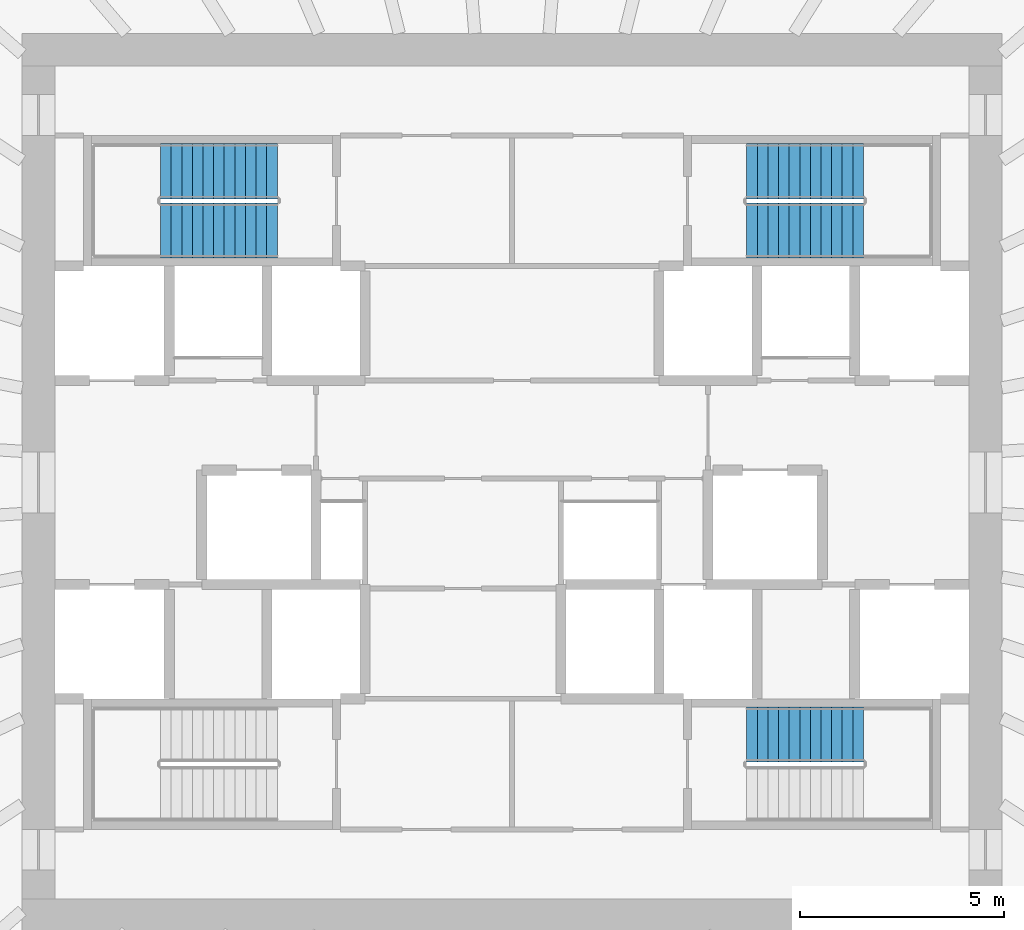
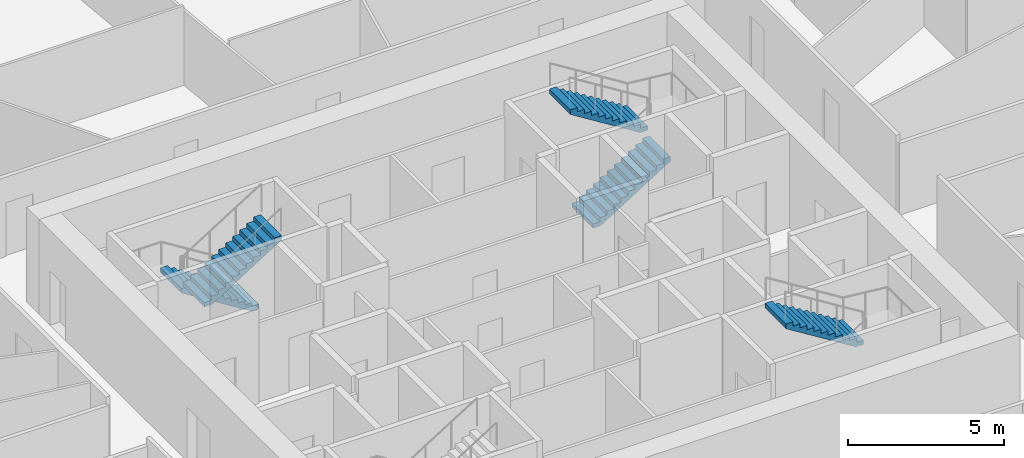
# One storey, part 10 of 11: 5 stair flights, 3 elements without a shape of their own.
"""IFC4 building model written with IfcOpenShell, lengths in metres."""

from ifc_helpers import new_model, si_unit, direction, frame, origin, place, context, subcontext, project, spatial, polyline, outline, extrude, source, transform, mapped, material, type_object, element, aggregate, save


model = new_model("IFC4")

# Units and contexts
model_context = context("Model", 3, precision=1e-05, world=origin(), true_north=direction((0.0, 1.0)))
body_context = subcontext(model_context, "Body", "Model", "MODEL_VIEW")
ifc_project = project(units=[si_unit("LENGTHUNIT", "METRE"), si_unit("AREAUNIT", "SQUARE_METRE"), si_unit("VOLUMEUNIT", "CUBIC_METRE"), si_unit("PLANEANGLEUNIT", "RADIAN"), si_unit("MASSUNIT", "GRAM", prefix="KILO")], contexts=[model_context])

# Site, building, storey
site_placement = place(None, origin())
site = spatial("IfcSite", under=ifc_project, at=site_placement, CompositionType="ELEMENT")
building_placement = place(site_placement, origin())
building = spatial("IfcBuilding", under=site, at=building_placement, Name="Embergate Tower", CompositionType="ELEMENT")
storey_placement = place(building_placement, frame((0.0, 0.0, 199.5)))
storey = spatial("IfcBuildingStorey", under=building, at=storey_placement, Name="L45", CompositionType="ELEMENT", Elevation=199.5)

# Stair, stair flights
ifc_material_1 = material(Name="Exit stair")
stair_type = type_object("IfcStairType", Name="Exit stair", PredefinedType="HALF_TURN_STAIR", material=ifc_material_1)
stair_1_placement = place(storey_placement, origin())
stair_1 = element("IfcStair", 1, at=stair_1_placement, inside=storey, type_object=stair_type, Name="L45 Exit stair 1", PredefinedType="HALF_TURN_STAIR")
ifc_material_2 = material(Name="Concrete C40", Category="concrete")
stair_flight_type = type_object("IfcStairFlightType", Name="Stair flight reinforced concrete", PredefinedType="STRAIGHT", material=ifc_material_2)
shared_shape = source(origin(), body_context, "Body", "SweptSolid", [
    extrude(outline(polyline([(0.0, 0.0), (0.0, 0.16259765625), (0.260009765625, 0.16259765625), (0.260009765625, 0.324951171875), (0.52001953125, 0.324951171875), (0.52001953125, 0.487548828125), (0.780029296875, 0.487548828125), (0.780029296875, 0.64990234375), (1.0400390625, 0.64990234375), (1.0400390625, 0.8125), (1.300048828125, 0.8125), (1.300048828125, 0.97509765625), (1.56005859375, 0.97509765625), (1.56005859375, 1.137451171875), (1.820068359375, 1.137451171875), (1.820068359375, 1.300048828125), (2.080078125, 1.300048828125), (2.080078125, 1.46240234375), (2.340087890625, 1.46240234375), (2.340087890625, 1.625), (2.60009765625, 1.625), (2.60009765625, 1.78759765625), (2.860107421875, 1.78759765625), (2.860107421875, 1.949951171875), (2.860107421875, 1.61083984375), (0.28271484375, 0.0), (0.0, 0.0)])), frame((0.0, 0.675048828125, 0.0), z_axis=(0.0, -1.0, 0.0), x_axis=(1.0, 0.0, 0.0)), (0.0, 0.0, 1.0), 1.35009765625),
])
stair_flight_1_placement = place(storey_placement, frame((-5.75, 7.625, 0.0), z_axis=(0.0, 0.0, 1.0), x_axis=(-1.0, 0.0, 0.0)))
stair_flight_1 = element("IfcStairFlight", 2, at=stair_flight_1_placement, type_object=stair_flight_type, Name="ST1 flight 1", NumberOfRisers=12, NumberOfTreads=11, PredefinedType="STRAIGHT", RiserHeight=0.1625, TreadLength=0.26, context=body_context, shape_type="MappedRepresentation", body=[
    mapped(shared_shape, transform((0.0, 0.0, 0.0))),
])
stair_flight_2_placement = place(storey_placement, frame((-8.610107421875, 6.175048828125, 1.949951171875), z_axis=(0.0, 0.0, 1.0), x_axis=(1.0, 0.0, 0.0)))
stair_flight_2 = element("IfcStairFlight", 3, at=stair_flight_2_placement, type_object=stair_flight_type, Name="ST1 flight 2", NumberOfRisers=12, NumberOfTreads=11, PredefinedType="STRAIGHT", RiserHeight=0.1625, TreadLength=0.26, context=body_context, shape_type="MappedRepresentation", body=[
    mapped(shared_shape, transform((0.0, 0.0, 0.0))),
])
aggregate(stair_1, [stair_flight_1, stair_flight_2])

stair_2_placement = place(storey_placement, origin())
stair_2 = element("IfcStair", 4, at=stair_2_placement, inside=storey, type_object=stair_type, Name="L45 Exit stair 2", PredefinedType="HALF_TURN_STAIR")
stair_flight_3_placement = place(storey_placement, frame((5.75, 6.175048828125, 0.0), z_axis=(0.0, 0.0, 1.0), x_axis=(1.0, 0.0, 0.0)))
stair_flight_3 = element("IfcStairFlight", 5, at=stair_flight_3_placement, type_object=stair_flight_type, Name="ST2 flight 1", NumberOfRisers=12, NumberOfTreads=11, PredefinedType="STRAIGHT", RiserHeight=0.1625, TreadLength=0.26, context=body_context, shape_type="MappedRepresentation", body=[
    mapped(shared_shape, transform((0.0, 0.0, 0.0))),
])
stair_flight_4_placement = place(storey_placement, frame((8.610107421875, 7.625, 1.949951171875), z_axis=(0.0, 0.0, 1.0), x_axis=(-1.0, 0.0, 0.0)))
stair_flight_4 = element("IfcStairFlight", 6, at=stair_flight_4_placement, type_object=stair_flight_type, Name="ST2 flight 2", NumberOfRisers=12, NumberOfTreads=11, PredefinedType="STRAIGHT", RiserHeight=0.1625, TreadLength=0.26, context=body_context, shape_type="MappedRepresentation", body=[
    mapped(shared_shape, transform((0.0, 0.0, 0.0))),
])
aggregate(stair_2, [stair_flight_3, stair_flight_4])

# Stair, stair flight
stair_3_placement = place(storey_placement, origin())
stair_3 = element("IfcStair", 7, at=stair_3_placement, inside=storey, type_object=stair_type, Name="L45 Exit stair 4", PredefinedType="HALF_TURN_STAIR")
stair_flight_5_placement = place(storey_placement, frame((8.610107421875, -6.175048828125, 1.949951171875), z_axis=(0.0, 0.0, 1.0), x_axis=(-1.0, 0.0, 0.0)))
stair_flight_5 = element("IfcStairFlight", 8, at=stair_flight_5_placement, type_object=stair_flight_type, Name="ST4 flight 2", NumberOfRisers=12, NumberOfTreads=11, PredefinedType="STRAIGHT", RiserHeight=0.1625, TreadLength=0.26, context=body_context, shape_type="MappedRepresentation", body=[
    mapped(shared_shape, transform((0.0, 0.0, 0.0))),
])
aggregate(stair_3, [stair_flight_5])

save(model, "model.ifc")
